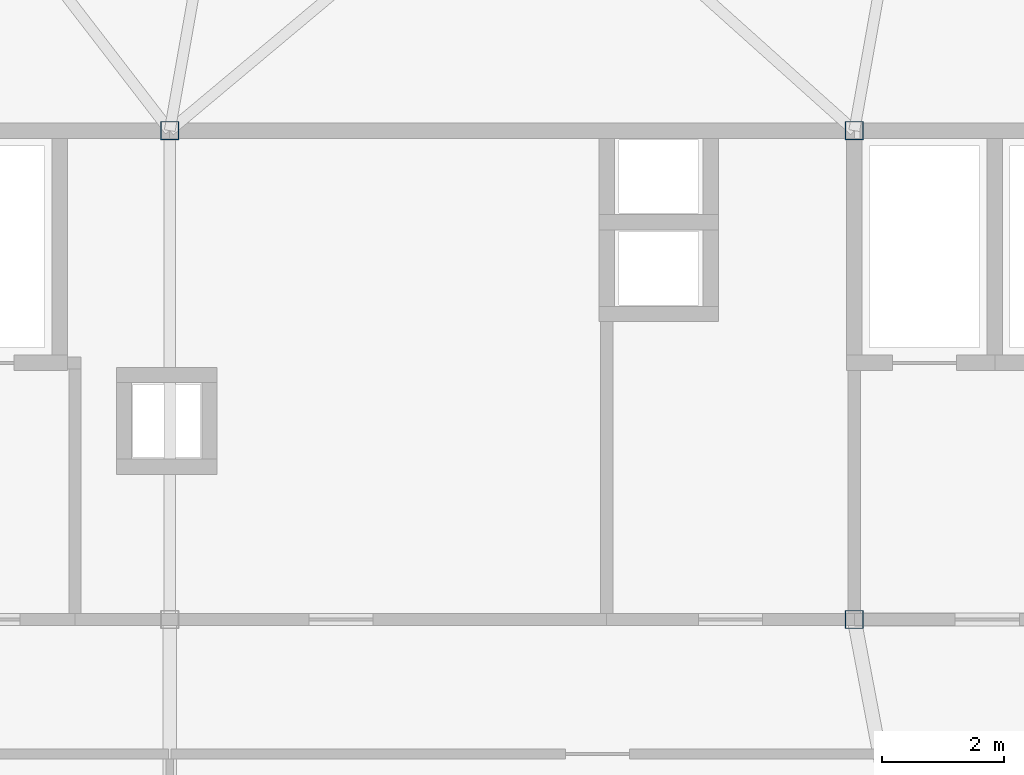
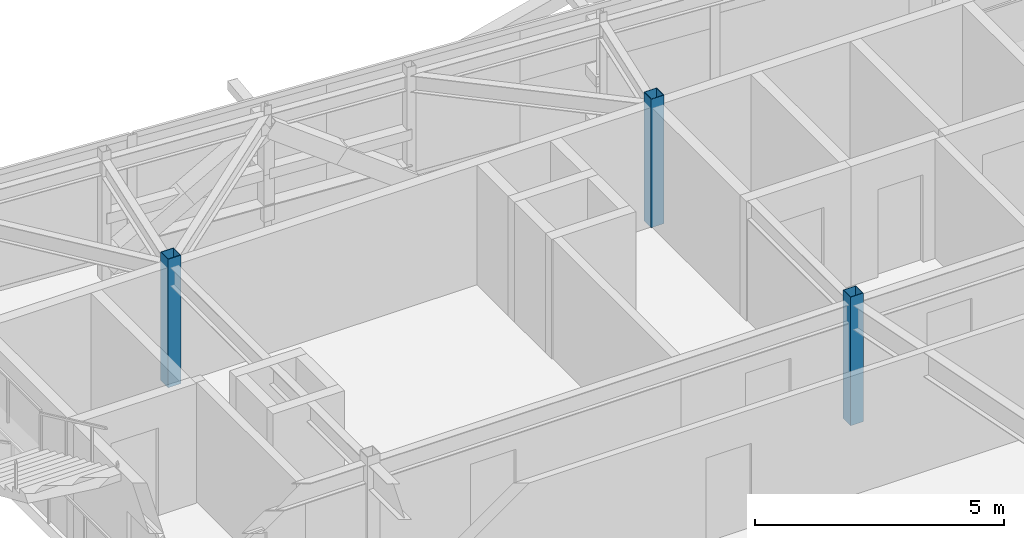
# One storey, part 4 of 35: 3 columns.
"""IFC4 building model written with IfcOpenShell, lengths in metres."""

from ifc_helpers import new_model, si_unit, direction, frame, origin, origin_2d, place, context, subcontext, project, spatial, hollow_rectangle, extrude, source, transform, mapped, material, material_profile, profile_set, type_object, element, save


model = new_model("IFC4")

# Units and contexts
model_context = context("Model", 3, precision=1e-05, world=origin(), true_north=direction((0.0, 1.0)))
body_context = subcontext(model_context, "Body", "Model", "MODEL_VIEW")
ifc_project = project(units=[si_unit("LENGTHUNIT", "METRE"), si_unit("AREAUNIT", "SQUARE_METRE"), si_unit("VOLUMEUNIT", "CUBIC_METRE"), si_unit("PLANEANGLEUNIT", "RADIAN"), si_unit("MASSUNIT", "GRAM", prefix="KILO")], contexts=[model_context])

# Site, building, storey
site_placement = place(None, origin())
site = spatial("IfcSite", under=ifc_project, at=site_placement, CompositionType="ELEMENT")
building_placement = place(site_placement, origin())
building = spatial("IfcBuilding", under=site, at=building_placement, Name="Taldren Reach Tower", CompositionType="ELEMENT")
storey_placement = place(building_placement, frame((0.0, 0.0, 236.60009765625)))
storey = spatial("IfcBuildingStorey", under=building, at=storey_placement, Name="L72", CompositionType="ELEMENT", Elevation=236.60009765625)

# Columns
ifc_material = material(Name="Steel Gr 450 (C450L0)", Category="steel")
ifc_material_profile = material_profile(ifc_material, hollow_rectangle(XDim=0.300048828125, YDim=0.300048828125, WallThickness=0.012451171875, at=origin_2d()), Name="300x300x12.5SHS")
ifc_profile_set = profile_set([ifc_material_profile], Name="Steel Gr 450 (C450L0)")
column_type = type_object("IfcColumnType", Name="COL-SHS300", PredefinedType="COLUMN", material=ifc_profile_set)
shared_shape = source(origin(), body_context, "Body", "SweptSolid", [
    extrude(hollow_rectangle(XDim=0.300048828125, YDim=0.300048828125, WallThickness=0.012451171875, at=origin_2d()), origin(), (0.0, 0.0, 1.0), 3.14990234375),
])
for number, where, z_axis, x_axis, name in (
    (1, (39.199951171875, 24.0, 0.0), (0.0, 0.0, 1.0), (1.0, 0.0, 0.0), "Mega column MC-C3 L72"),
    (2, (28.0, 32.0, 0.0), (0.0, 0.0, 1.0), (1.0, 0.0, 0.0), "Mega column MC-C6 L72"),
    (3, (39.199951171875, 32.0, 0.0), (0.0, 0.0, 1.0), (1.0, 0.0, 0.0), "Mega column MC-C7 L72"),
):
    element("IfcColumn", number, at=place(storey_placement, frame(where, z_axis=z_axis, x_axis=x_axis)), inside=storey, type_object=column_type, Name=name, PredefinedType="COLUMN", context=body_context, shape_type="MappedRepresentation", body=[
        mapped(shared_shape, transform((0.0, 0.0, 0.0), scale=1.0)),
    ])

save(model, "model.ifc")
